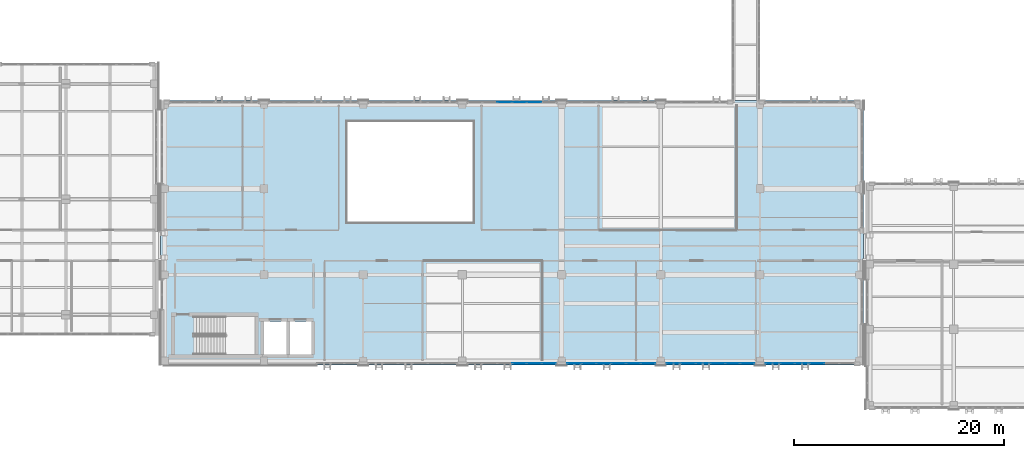
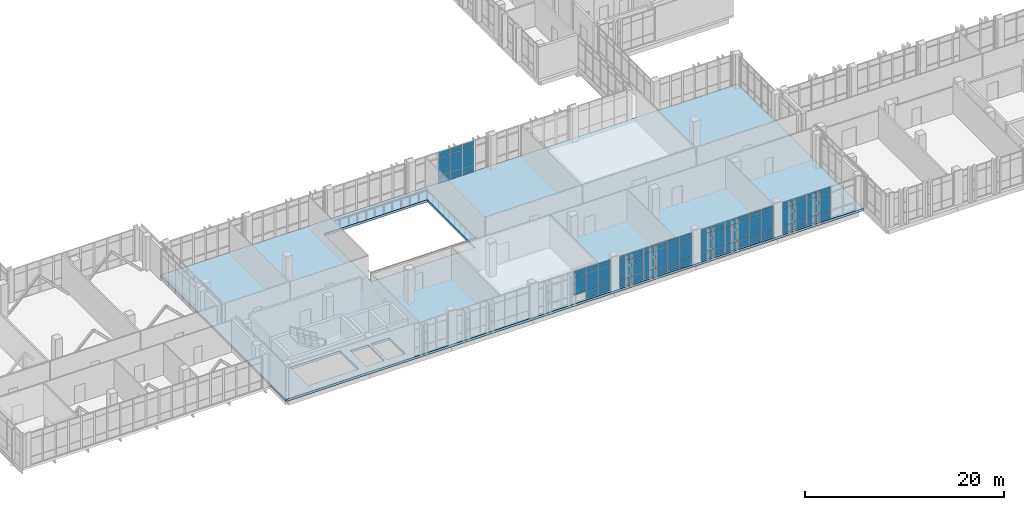
# One storey, part 136 of 193: 65 plates, 1 slab, 5 elements without a shape of their own.
"""IFC4 building model written with IfcOpenShell, lengths in metres."""

from ifc_helpers import new_model, si_unit, direction, frame, origin, origin_2d, place, context, subcontext, project, spatial, polyline, rectangle, outline, extrude, material, layer, layer_set, type_object, element, aggregate, save


model = new_model("IFC4")

# Units and contexts
model_context = context("Model", 3, precision=1e-05, world=origin(), true_north=direction((0.0, 1.0)))
body_context = subcontext(model_context, "Body", "Model", "MODEL_VIEW")
ifc_project = project(units=[si_unit("LENGTHUNIT", "METRE"), si_unit("AREAUNIT", "SQUARE_METRE"), si_unit("VOLUMEUNIT", "CUBIC_METRE"), si_unit("PLANEANGLEUNIT", "RADIAN"), si_unit("MASSUNIT", "GRAM", prefix="KILO")], contexts=[model_context])

# Site, building, storey
site_placement = place(None, origin())
site = spatial("IfcSite", under=ifc_project, at=site_placement, CompositionType="ELEMENT")
building_placement = place(site_placement, origin())
building = spatial("IfcBuilding", under=site, at=building_placement, Name="Qalavern Law Courts", CompositionType="ELEMENT")
storey_placement = place(building_placement, frame((0.0, 0.0, 10.199951171875)))
storey = spatial("IfcBuildingStorey", under=building, at=storey_placement, Name="L02", CompositionType="ELEMENT", Elevation=10.199951171875)

# Curtain wall, plates
ifc_material_1 = material(Name="Anodised aluminium and insulated glazing", Category="aluminium")
ifc_layer_1 = layer(ifc_material_1, 0.18505859375)
ifc_layer_set_1 = layer_set([ifc_layer_1], Name="Anodised aluminium and insulated glazing")
curtain_wall_type = type_object("IfcCurtainWallType", Name="ENV-CW-HALL", PredefinedType="USERDEFINED", material=ifc_layer_set_1)
curtain_wall_1_placement = place(storey_placement, origin())
curtain_wall_1 = element("IfcCurtainWall", 1, at=curtain_wall_1_placement, inside=storey, type_object=curtain_wall_type, Name="V2 unitised curtain wall L02 south 3", ObjectType="UNITISED CURTAIN WALL", PredefinedType="USERDEFINED")
ifc_material_2 = material(Name="Insulated low-E acoustic glazing", Category="glass")
ifc_layer_2 = layer(ifc_material_2, 0.02392578125)
ifc_layer_set_2 = layer_set([ifc_layer_2], Name="Insulated low-E acoustic glazing")
plate_type_1 = type_object("IfcPlateType", Name="ENV-CWP-24", PredefinedType="CURTAIN_PANEL", material=ifc_layer_set_2)
plate_1_placement = place(storey_placement, frame((68.41455078125, 5.35498046875, 0.97412109375), z_axis=(0.0, 0.0, 1.0), x_axis=(1.0, 0.0, 0.0)))
plate_1 = element("IfcPlate", 2, at=plate_1_placement, type_object=plate_type_1, Name="CW-02 panel 4.2", PredefinedType="CURTAIN_PANEL", context=body_context, shape_type="SweptSolid", body=[
    extrude(rectangle(XDim=1.361083984375, YDim=0.02392578125, at=origin_2d()), origin(), (0.0, 0.0, 1.0), 2.1669921875),
])
plate_2_placement = place(storey_placement, frame((68.41455078125, 5.35498046875, 3.18896484375), z_axis=(0.0, 0.0, 1.0), x_axis=(1.0, 0.0, 0.0)))
plate_2 = element("IfcPlate", 3, at=plate_2_placement, type_object=plate_type_1, Name="CW-02 panel 4.3", PredefinedType="CURTAIN_PANEL", context=body_context, shape_type="SweptSolid", body=[
    extrude(rectangle(XDim=1.361083984375, YDim=0.02392578125, at=origin_2d()), origin(), (0.0, 0.0, 1.0), 0.677978515625),
])
plate_3_placement = place(storey_placement, frame((69.823486328125, 5.35498046875, 0.048095703125), z_axis=(0.0, 0.0, 1.0), x_axis=(1.0, 0.0, 0.0)))
plate_3 = element("IfcPlate", 4, at=plate_3_placement, type_object=plate_type_1, Name="CW-02 panel 5.1", PredefinedType="CURTAIN_PANEL", context=body_context, shape_type="SweptSolid", body=[
    extrude(rectangle(XDim=1.361083984375, YDim=0.02392578125, at=origin_2d()), origin(), (0.0, 0.0, 1.0), 0.8779296875),
])
plate_4_placement = place(storey_placement, frame((69.823486328125, 5.35498046875, 0.97412109375), z_axis=(0.0, 0.0, 1.0), x_axis=(1.0, 0.0, 0.0)))
plate_4 = element("IfcPlate", 5, at=plate_4_placement, type_object=plate_type_1, Name="CW-02 panel 5.2", PredefinedType="CURTAIN_PANEL", context=body_context, shape_type="SweptSolid", body=[
    extrude(rectangle(XDim=1.361083984375, YDim=0.02392578125, at=origin_2d()), origin(), (0.0, 0.0, 1.0), 2.1669921875),
])
plate_5_placement = place(storey_placement, frame((69.823486328125, 5.35498046875, 3.18896484375), z_axis=(0.0, 0.0, 1.0), x_axis=(1.0, 0.0, 0.0)))
plate_5 = element("IfcPlate", 6, at=plate_5_placement, type_object=plate_type_1, Name="CW-02 panel 5.3", PredefinedType="CURTAIN_PANEL", context=body_context, shape_type="SweptSolid", body=[
    extrude(rectangle(XDim=1.361083984375, YDim=0.02392578125, at=origin_2d()), origin(), (0.0, 0.0, 1.0), 0.677978515625),
])
plate_6_placement = place(storey_placement, frame((71.220703125, 5.35498046875, 0.048095703125), z_axis=(0.0, 0.0, 1.0), x_axis=(1.0, 0.0, 0.0)))
plate_6 = element("IfcPlate", 7, at=plate_6_placement, type_object=plate_type_1, Name="CW-02 panel 6.1", PredefinedType="CURTAIN_PANEL", context=body_context, shape_type="SweptSolid", body=[
    extrude(rectangle(XDim=1.3369140625, YDim=0.02392578125, at=origin_2d()), origin(), (0.0, 0.0, 1.0), 0.8779296875),
])
plate_7_placement = place(storey_placement, frame((71.220703125, 5.35498046875, 0.97412109375), z_axis=(0.0, 0.0, 1.0), x_axis=(1.0, 0.0, 0.0)))
plate_7 = element("IfcPlate", 8, at=plate_7_placement, type_object=plate_type_1, Name="CW-02 panel 6.2", PredefinedType="CURTAIN_PANEL", context=body_context, shape_type="SweptSolid", body=[
    extrude(rectangle(XDim=1.3369140625, YDim=0.02392578125, at=origin_2d()), origin(), (0.0, 0.0, 1.0), 2.1669921875),
])
plate_8_placement = place(storey_placement, frame((71.220703125, 5.35498046875, 3.18896484375), z_axis=(0.0, 0.0, 1.0), x_axis=(1.0, 0.0, 0.0)))
plate_8 = element("IfcPlate", 9, at=plate_8_placement, type_object=plate_type_1, Name="CW-02 panel 6.3", PredefinedType="CURTAIN_PANEL", context=body_context, shape_type="SweptSolid", body=[
    extrude(rectangle(XDim=1.3369140625, YDim=0.02392578125, at=origin_2d()), origin(), (0.0, 0.0, 1.0), 0.677978515625),
])
aggregate(curtain_wall_1, [plate_1, plate_2, plate_3, plate_4, plate_5, plate_6, plate_7, plate_8])

curtain_wall_2_placement = place(storey_placement, origin())
curtain_wall_2 = element("IfcCurtainWall", 10, at=curtain_wall_2_placement, inside=storey, type_object=curtain_wall_type, Name="V2 unitised curtain wall L02 south 4", ObjectType="UNITISED CURTAIN WALL", PredefinedType="USERDEFINED")
ifc_layer_3 = layer(ifc_material_2, 0.028076171875)
ifc_layer_set_3 = layer_set([ifc_layer_3], Name="Insulated low-E acoustic glazing")
plate_type_2 = type_object("IfcPlateType", Name="ENV-CWP-28", PredefinedType="CURTAIN_PANEL", material=ifc_layer_set_3)
plate_9_placement = place(storey_placement, frame((73.653564453125, 5.35498046875, 0.048095703125), z_axis=(0.0, 0.0, 1.0), x_axis=(1.0, 0.0, 0.0)))
plate_9 = element("IfcPlate", 11, at=plate_9_placement, type_object=plate_type_2, Name="CW-02 panel 1.1", PredefinedType="CURTAIN_PANEL", context=body_context, shape_type="SweptSolid", body=[
    extrude(rectangle(XDim=1.337158203125, YDim=0.028076171875, at=origin_2d()), origin(), (0.0, 0.0, 1.0), 0.8779296875),
])
plate_10_placement = place(storey_placement, frame((73.653564453125, 5.35498046875, 0.97412109375), z_axis=(0.0, 0.0, 1.0), x_axis=(1.0, 0.0, 0.0)))
plate_10 = element("IfcPlate", 12, at=plate_10_placement, type_object=plate_type_2, Name="CW-02 panel 1.2", PredefinedType="CURTAIN_PANEL", context=body_context, shape_type="SweptSolid", body=[
    extrude(rectangle(XDim=1.337158203125, YDim=0.028076171875, at=origin_2d()), origin(), (0.0, 0.0, 1.0), 2.1669921875),
])
plate_11_placement = place(storey_placement, frame((73.653564453125, 5.35498046875, 3.18896484375), z_axis=(0.0, 0.0, 1.0), x_axis=(1.0, 0.0, 0.0)))
plate_11 = element("IfcPlate", 13, at=plate_11_placement, type_object=plate_type_2, Name="CW-02 panel 1.3", PredefinedType="CURTAIN_PANEL", context=body_context, shape_type="SweptSolid", body=[
    extrude(rectangle(XDim=1.337158203125, YDim=0.028076171875, at=origin_2d()), origin(), (0.0, 0.0, 1.0), 0.677978515625),
])
plate_12_placement = place(storey_placement, frame((75.05078125, 5.35498046875, 0.048095703125), z_axis=(0.0, 0.0, 1.0), x_axis=(1.0, 0.0, 0.0)))
plate_12 = element("IfcPlate", 14, at=plate_12_placement, type_object=plate_type_2, Name="CW-02 panel 2.1", PredefinedType="CURTAIN_PANEL", context=body_context, shape_type="SweptSolid", body=[
    extrude(rectangle(XDim=1.361083984375, YDim=0.028076171875, at=origin_2d()), origin(), (0.0, 0.0, 1.0), 0.8779296875),
])
plate_13_placement = place(storey_placement, frame((75.05078125, 5.35498046875, 0.97412109375), z_axis=(0.0, 0.0, 1.0), x_axis=(1.0, 0.0, 0.0)))
plate_13 = element("IfcPlate", 15, at=plate_13_placement, type_object=plate_type_2, Name="CW-02 panel 2.2", PredefinedType="CURTAIN_PANEL", context=body_context, shape_type="SweptSolid", body=[
    extrude(rectangle(XDim=1.361083984375, YDim=0.028076171875, at=origin_2d()), origin(), (0.0, 0.0, 1.0), 2.1669921875),
])
plate_14_placement = place(storey_placement, frame((75.05078125, 5.35498046875, 3.18896484375), z_axis=(0.0, 0.0, 1.0), x_axis=(1.0, 0.0, 0.0)))
plate_14 = element("IfcPlate", 16, at=plate_14_placement, type_object=plate_type_2, Name="CW-02 panel 2.3", PredefinedType="CURTAIN_PANEL", context=body_context, shape_type="SweptSolid", body=[
    extrude(rectangle(XDim=1.361083984375, YDim=0.028076171875, at=origin_2d()), origin(), (0.0, 0.0, 1.0), 0.677978515625),
])
plate_15_placement = place(storey_placement, frame((76.459716796875, 5.35498046875, 0.048095703125), z_axis=(0.0, 0.0, 1.0), x_axis=(1.0, 0.0, 0.0)))
plate_15 = element("IfcPlate", 17, at=plate_15_placement, type_object=plate_type_2, Name="CW-02 panel 3.1", PredefinedType="CURTAIN_PANEL", context=body_context, shape_type="SweptSolid", body=[
    extrude(rectangle(XDim=1.361083984375, YDim=0.028076171875, at=origin_2d()), origin(), (0.0, 0.0, 1.0), 0.8779296875),
])
plate_16_placement = place(storey_placement, frame((76.459716796875, 5.35498046875, 0.97412109375), z_axis=(0.0, 0.0, 1.0), x_axis=(1.0, 0.0, 0.0)))
plate_16 = element("IfcPlate", 18, at=plate_16_placement, type_object=plate_type_2, Name="CW-02 panel 3.2", PredefinedType="CURTAIN_PANEL", context=body_context, shape_type="SweptSolid", body=[
    extrude(rectangle(XDim=1.361083984375, YDim=0.028076171875, at=origin_2d()), origin(), (0.0, 0.0, 1.0), 2.1669921875),
])
plate_17_placement = place(storey_placement, frame((76.459716796875, 5.35498046875, 3.18896484375), z_axis=(0.0, 0.0, 1.0), x_axis=(1.0, 0.0, 0.0)))
plate_17 = element("IfcPlate", 19, at=plate_17_placement, type_object=plate_type_2, Name="CW-02 panel 3.3", PredefinedType="CURTAIN_PANEL", context=body_context, shape_type="SweptSolid", body=[
    extrude(rectangle(XDim=1.361083984375, YDim=0.028076171875, at=origin_2d()), origin(), (0.0, 0.0, 1.0), 0.677978515625),
])
plate_18_placement = place(storey_placement, frame((77.868896484375, 5.35498046875, 0.048095703125), z_axis=(0.0, 0.0, 1.0), x_axis=(1.0, 0.0, 0.0)))
plate_18 = element("IfcPlate", 20, at=plate_18_placement, type_object=plate_type_2, Name="CW-02 panel 4.1", PredefinedType="CURTAIN_PANEL", context=body_context, shape_type="SweptSolid", body=[
    extrude(rectangle(XDim=1.361083984375, YDim=0.028076171875, at=origin_2d()), origin(), (0.0, 0.0, 1.0), 0.8779296875),
])
plate_19_placement = place(storey_placement, frame((77.868896484375, 5.35498046875, 0.97412109375), z_axis=(0.0, 0.0, 1.0), x_axis=(1.0, 0.0, 0.0)))
plate_19 = element("IfcPlate", 21, at=plate_19_placement, type_object=plate_type_2, Name="CW-02 panel 4.2", PredefinedType="CURTAIN_PANEL", context=body_context, shape_type="SweptSolid", body=[
    extrude(rectangle(XDim=1.361083984375, YDim=0.028076171875, at=origin_2d()), origin(), (0.0, 0.0, 1.0), 2.1669921875),
])
plate_20_placement = place(storey_placement, frame((77.868896484375, 5.35498046875, 3.18896484375), z_axis=(0.0, 0.0, 1.0), x_axis=(1.0, 0.0, 0.0)))
plate_20 = element("IfcPlate", 22, at=plate_20_placement, type_object=plate_type_2, Name="CW-02 panel 4.3", PredefinedType="CURTAIN_PANEL", context=body_context, shape_type="SweptSolid", body=[
    extrude(rectangle(XDim=1.361083984375, YDim=0.028076171875, at=origin_2d()), origin(), (0.0, 0.0, 1.0), 0.677978515625),
])
plate_21_placement = place(storey_placement, frame((79.27783203125, 5.35498046875, 0.048095703125), z_axis=(0.0, 0.0, 1.0), x_axis=(1.0, 0.0, 0.0)))
plate_21 = element("IfcPlate", 23, at=plate_21_placement, type_object=plate_type_2, Name="CW-02 panel 5.1", PredefinedType="CURTAIN_PANEL", context=body_context, shape_type="SweptSolid", body=[
    extrude(rectangle(XDim=1.361083984375, YDim=0.028076171875, at=origin_2d()), origin(), (0.0, 0.0, 1.0), 0.8779296875),
])
plate_22_placement = place(storey_placement, frame((79.27783203125, 5.35498046875, 0.97412109375), z_axis=(0.0, 0.0, 1.0), x_axis=(1.0, 0.0, 0.0)))
plate_22 = element("IfcPlate", 24, at=plate_22_placement, type_object=plate_type_2, Name="CW-02 panel 5.2", PredefinedType="CURTAIN_PANEL", context=body_context, shape_type="SweptSolid", body=[
    extrude(rectangle(XDim=1.361083984375, YDim=0.028076171875, at=origin_2d()), origin(), (0.0, 0.0, 1.0), 2.1669921875),
])
plate_23_placement = place(storey_placement, frame((79.27783203125, 5.35498046875, 3.18896484375), z_axis=(0.0, 0.0, 1.0), x_axis=(1.0, 0.0, 0.0)))
plate_23 = element("IfcPlate", 25, at=plate_23_placement, type_object=plate_type_2, Name="CW-02 panel 5.3", PredefinedType="CURTAIN_PANEL", context=body_context, shape_type="SweptSolid", body=[
    extrude(rectangle(XDim=1.361083984375, YDim=0.028076171875, at=origin_2d()), origin(), (0.0, 0.0, 1.0), 0.677978515625),
])
plate_24_placement = place(storey_placement, frame((80.6748046875, 5.35498046875, 0.048095703125), z_axis=(0.0, 0.0, 1.0), x_axis=(1.0, 0.0, 0.0)))
plate_24 = element("IfcPlate", 26, at=plate_24_placement, type_object=plate_type_2, Name="CW-02 panel 6.1", PredefinedType="CURTAIN_PANEL", context=body_context, shape_type="SweptSolid", body=[
    extrude(rectangle(XDim=1.337158203125, YDim=0.028076171875, at=origin_2d()), origin(), (0.0, 0.0, 1.0), 0.8779296875),
])
plate_25_placement = place(storey_placement, frame((80.6748046875, 5.35498046875, 0.97412109375), z_axis=(0.0, 0.0, 1.0), x_axis=(1.0, 0.0, 0.0)))
plate_25 = element("IfcPlate", 27, at=plate_25_placement, type_object=plate_type_2, Name="CW-02 panel 6.2", PredefinedType="CURTAIN_PANEL", context=body_context, shape_type="SweptSolid", body=[
    extrude(rectangle(XDim=1.337158203125, YDim=0.028076171875, at=origin_2d()), origin(), (0.0, 0.0, 1.0), 2.1669921875),
])
plate_26_placement = place(storey_placement, frame((80.6748046875, 5.35498046875, 3.18896484375), z_axis=(0.0, 0.0, 1.0), x_axis=(1.0, 0.0, 0.0)))
plate_26 = element("IfcPlate", 28, at=plate_26_placement, type_object=plate_type_2, Name="CW-02 panel 6.3", PredefinedType="CURTAIN_PANEL", context=body_context, shape_type="SweptSolid", body=[
    extrude(rectangle(XDim=1.337158203125, YDim=0.028076171875, at=origin_2d()), origin(), (0.0, 0.0, 1.0), 0.677978515625),
])
aggregate(curtain_wall_2, [plate_9, plate_10, plate_11, plate_12, plate_13, plate_14, plate_15, plate_16, plate_17, plate_18, plate_19, plate_20, plate_21, plate_22, plate_23, plate_24, plate_25, plate_26])

curtain_wall_3_placement = place(storey_placement, origin())
curtain_wall_3 = element("IfcCurtainWall", 29, at=curtain_wall_3_placement, inside=storey, type_object=curtain_wall_type, Name="V2 unitised curtain wall L02 north 3", ObjectType="UNITISED CURTAIN WALL", PredefinedType="USERDEFINED")
plate_27_placement = place(storey_placement, frame((69.823486328125, 30.2451171875, 0.048095703125), z_axis=(0.0, 0.0, 1.0), x_axis=(-1.0, 0.0, 0.0)))
plate_27 = element("IfcPlate", 30, at=plate_27_placement, type_object=plate_type_2, Name="CW-02 panel 2.1", PredefinedType="CURTAIN_PANEL", context=body_context, shape_type="SweptSolid", body=[
    extrude(rectangle(XDim=1.361083984375, YDim=0.028076171875, at=origin_2d()), origin(), (0.0, 0.0, 1.0), 0.8779296875),
])
plate_28_placement = place(storey_placement, frame((69.823486328125, 30.2451171875, 0.97412109375), z_axis=(0.0, 0.0, 1.0), x_axis=(-1.0, 0.0, 0.0)))
plate_28 = element("IfcPlate", 31, at=plate_28_placement, type_object=plate_type_2, Name="CW-02 panel 2.2", PredefinedType="CURTAIN_PANEL", context=body_context, shape_type="SweptSolid", body=[
    extrude(rectangle(XDim=1.361083984375, YDim=0.028076171875, at=origin_2d()), origin(), (0.0, 0.0, 1.0), 2.1669921875),
])
plate_29_placement = place(storey_placement, frame((69.823486328125, 30.2451171875, 3.18896484375), z_axis=(0.0, 0.0, 1.0), x_axis=(-1.0, 0.0, 0.0)))
plate_29 = element("IfcPlate", 32, at=plate_29_placement, type_object=plate_type_2, Name="CW-02 panel 2.3", PredefinedType="CURTAIN_PANEL", context=body_context, shape_type="SweptSolid", body=[
    extrude(rectangle(XDim=1.361083984375, YDim=0.028076171875, at=origin_2d()), origin(), (0.0, 0.0, 1.0), 0.677978515625),
])
plate_30_placement = place(storey_placement, frame((68.41455078125, 30.2451171875, 0.048095703125), z_axis=(0.0, 0.0, 1.0), x_axis=(-1.0, 0.0, 0.0)))
plate_30 = element("IfcPlate", 33, at=plate_30_placement, type_object=plate_type_2, Name="CW-02 panel 3.1", PredefinedType="CURTAIN_PANEL", context=body_context, shape_type="SweptSolid", body=[
    extrude(rectangle(XDim=1.361083984375, YDim=0.028076171875, at=origin_2d()), origin(), (0.0, 0.0, 1.0), 0.8779296875),
])
plate_31_placement = place(storey_placement, frame((68.41455078125, 30.2451171875, 0.97412109375), z_axis=(0.0, 0.0, 1.0), x_axis=(-1.0, 0.0, 0.0)))
plate_31 = element("IfcPlate", 34, at=plate_31_placement, type_object=plate_type_2, Name="CW-02 panel 3.2", PredefinedType="CURTAIN_PANEL", context=body_context, shape_type="SweptSolid", body=[
    extrude(rectangle(XDim=1.361083984375, YDim=0.028076171875, at=origin_2d()), origin(), (0.0, 0.0, 1.0), 2.1669921875),
])
plate_32_placement = place(storey_placement, frame((68.41455078125, 30.2451171875, 3.18896484375), z_axis=(0.0, 0.0, 1.0), x_axis=(-1.0, 0.0, 0.0)))
plate_32 = element("IfcPlate", 35, at=plate_32_placement, type_object=plate_type_2, Name="CW-02 panel 3.3", PredefinedType="CURTAIN_PANEL", context=body_context, shape_type="SweptSolid", body=[
    extrude(rectangle(XDim=1.361083984375, YDim=0.028076171875, at=origin_2d()), origin(), (0.0, 0.0, 1.0), 0.677978515625),
])
plate_33_placement = place(storey_placement, frame((67.00537109375, 30.2451171875, 0.048095703125), z_axis=(0.0, 0.0, 1.0), x_axis=(-1.0, 0.0, 0.0)))
plate_33 = element("IfcPlate", 36, at=plate_33_placement, type_object=plate_type_2, Name="CW-02 panel 4.1", PredefinedType="CURTAIN_PANEL", context=body_context, shape_type="SweptSolid", body=[
    extrude(rectangle(XDim=1.361083984375, YDim=0.028076171875, at=origin_2d()), origin(), (0.0, 0.0, 1.0), 0.8779296875),
])
plate_34_placement = place(storey_placement, frame((67.00537109375, 30.2451171875, 0.97412109375), z_axis=(0.0, 0.0, 1.0), x_axis=(-1.0, 0.0, 0.0)))
plate_34 = element("IfcPlate", 37, at=plate_34_placement, type_object=plate_type_2, Name="CW-02 panel 4.2", PredefinedType="CURTAIN_PANEL", context=body_context, shape_type="SweptSolid", body=[
    extrude(rectangle(XDim=1.361083984375, YDim=0.028076171875, at=origin_2d()), origin(), (0.0, 0.0, 1.0), 2.1669921875),
])
plate_35_placement = place(storey_placement, frame((67.00537109375, 30.2451171875, 3.18896484375), z_axis=(0.0, 0.0, 1.0), x_axis=(-1.0, 0.0, 0.0)))
plate_35 = element("IfcPlate", 38, at=plate_35_placement, type_object=plate_type_2, Name="CW-02 panel 4.3", PredefinedType="CURTAIN_PANEL", context=body_context, shape_type="SweptSolid", body=[
    extrude(rectangle(XDim=1.361083984375, YDim=0.028076171875, at=origin_2d()), origin(), (0.0, 0.0, 1.0), 0.677978515625),
])
aggregate(curtain_wall_3, [plate_27, plate_28, plate_29, plate_30, plate_31, plate_32, plate_33, plate_34, plate_35])

curtain_wall_4_placement = place(storey_placement, origin())
curtain_wall_4 = element("IfcCurtainWall", 39, at=curtain_wall_4_placement, inside=storey, type_object=curtain_wall_type, Name="V2 unitised curtain wall L02 south 5", ObjectType="UNITISED CURTAIN WALL", PredefinedType="USERDEFINED")
ifc_layer_4 = layer(ifc_material_2, 0.031982421875)
ifc_layer_set_4 = layer_set([ifc_layer_4], Name="Insulated low-E acoustic glazing")
plate_type_3 = type_object("IfcPlateType", Name="ENV-CWP-32", PredefinedType="CURTAIN_PANEL", material=ifc_layer_set_4)
plate_36_placement = place(storey_placement, frame((83.10791015625, 5.35498046875, 0.048095703125), z_axis=(0.0, 0.0, 1.0), x_axis=(1.0, 0.0, 0.0)))
plate_36 = element("IfcPlate", 40, at=plate_36_placement, type_object=plate_type_3, Name="CW-02 panel 1.1", PredefinedType="CURTAIN_PANEL", context=body_context, shape_type="SweptSolid", body=[
    extrude(rectangle(XDim=1.337158203125, YDim=0.031982421875, at=origin_2d()), origin(), (0.0, 0.0, 1.0), 0.8779296875),
])
plate_37_placement = place(storey_placement, frame((83.10791015625, 5.35498046875, 0.97412109375), z_axis=(0.0, 0.0, 1.0), x_axis=(1.0, 0.0, 0.0)))
plate_37 = element("IfcPlate", 41, at=plate_37_placement, type_object=plate_type_3, Name="CW-02 panel 1.2", PredefinedType="CURTAIN_PANEL", context=body_context, shape_type="SweptSolid", body=[
    extrude(rectangle(XDim=1.337158203125, YDim=0.031982421875, at=origin_2d()), origin(), (0.0, 0.0, 1.0), 2.1669921875),
])
plate_38_placement = place(storey_placement, frame((83.10791015625, 5.35498046875, 3.18896484375), z_axis=(0.0, 0.0, 1.0), x_axis=(1.0, 0.0, 0.0)))
plate_38 = element("IfcPlate", 42, at=plate_38_placement, type_object=plate_type_3, Name="CW-02 panel 1.3", PredefinedType="CURTAIN_PANEL", context=body_context, shape_type="SweptSolid", body=[
    extrude(rectangle(XDim=1.337158203125, YDim=0.031982421875, at=origin_2d()), origin(), (0.0, 0.0, 1.0), 0.677978515625),
])
plate_39_placement = place(storey_placement, frame((84.5048828125, 5.35498046875, 0.048095703125), z_axis=(0.0, 0.0, 1.0), x_axis=(1.0, 0.0, 0.0)))
plate_39 = element("IfcPlate", 43, at=plate_39_placement, type_object=plate_type_3, Name="CW-02 panel 2.1", PredefinedType="CURTAIN_PANEL", context=body_context, shape_type="SweptSolid", body=[
    extrude(rectangle(XDim=1.361083984375, YDim=0.031982421875, at=origin_2d()), origin(), (0.0, 0.0, 1.0), 0.8779296875),
])
plate_40_placement = place(storey_placement, frame((84.5048828125, 5.35498046875, 0.97412109375), z_axis=(0.0, 0.0, 1.0), x_axis=(1.0, 0.0, 0.0)))
plate_40 = element("IfcPlate", 44, at=plate_40_placement, type_object=plate_type_3, Name="CW-02 panel 2.2", PredefinedType="CURTAIN_PANEL", context=body_context, shape_type="SweptSolid", body=[
    extrude(rectangle(XDim=1.361083984375, YDim=0.031982421875, at=origin_2d()), origin(), (0.0, 0.0, 1.0), 2.1669921875),
])
plate_41_placement = place(storey_placement, frame((84.5048828125, 5.35498046875, 3.18896484375), z_axis=(0.0, 0.0, 1.0), x_axis=(1.0, 0.0, 0.0)))
plate_41 = element("IfcPlate", 45, at=plate_41_placement, type_object=plate_type_3, Name="CW-02 panel 2.3", PredefinedType="CURTAIN_PANEL", context=body_context, shape_type="SweptSolid", body=[
    extrude(rectangle(XDim=1.361083984375, YDim=0.031982421875, at=origin_2d()), origin(), (0.0, 0.0, 1.0), 0.677978515625),
])
plate_42_placement = place(storey_placement, frame((85.9140625, 5.35498046875, 0.048095703125), z_axis=(0.0, 0.0, 1.0), x_axis=(1.0, 0.0, 0.0)))
plate_42 = element("IfcPlate", 46, at=plate_42_placement, type_object=plate_type_3, Name="CW-02 panel 3.1", PredefinedType="CURTAIN_PANEL", context=body_context, shape_type="SweptSolid", body=[
    extrude(rectangle(XDim=1.361083984375, YDim=0.031982421875, at=origin_2d()), origin(), (0.0, 0.0, 1.0), 0.8779296875),
])
plate_43_placement = place(storey_placement, frame((85.9140625, 5.35498046875, 0.97412109375), z_axis=(0.0, 0.0, 1.0), x_axis=(1.0, 0.0, 0.0)))
plate_43 = element("IfcPlate", 47, at=plate_43_placement, type_object=plate_type_3, Name="CW-02 panel 3.2", PredefinedType="CURTAIN_PANEL", context=body_context, shape_type="SweptSolid", body=[
    extrude(rectangle(XDim=1.361083984375, YDim=0.031982421875, at=origin_2d()), origin(), (0.0, 0.0, 1.0), 2.1669921875),
])
plate_44_placement = place(storey_placement, frame((85.9140625, 5.35498046875, 3.18896484375), z_axis=(0.0, 0.0, 1.0), x_axis=(1.0, 0.0, 0.0)))
plate_44 = element("IfcPlate", 48, at=plate_44_placement, type_object=plate_type_3, Name="CW-02 panel 3.3", PredefinedType="CURTAIN_PANEL", context=body_context, shape_type="SweptSolid", body=[
    extrude(rectangle(XDim=1.361083984375, YDim=0.031982421875, at=origin_2d()), origin(), (0.0, 0.0, 1.0), 0.677978515625),
])
plate_45_placement = place(storey_placement, frame((87.322998046875, 5.35498046875, 0.048095703125), z_axis=(0.0, 0.0, 1.0), x_axis=(1.0, 0.0, 0.0)))
plate_45 = element("IfcPlate", 49, at=plate_45_placement, type_object=plate_type_3, Name="CW-02 panel 4.1", PredefinedType="CURTAIN_PANEL", context=body_context, shape_type="SweptSolid", body=[
    extrude(rectangle(XDim=1.361083984375, YDim=0.031982421875, at=origin_2d()), origin(), (0.0, 0.0, 1.0), 0.8779296875),
])
plate_46_placement = place(storey_placement, frame((87.322998046875, 5.35498046875, 0.97412109375), z_axis=(0.0, 0.0, 1.0), x_axis=(1.0, 0.0, 0.0)))
plate_46 = element("IfcPlate", 50, at=plate_46_placement, type_object=plate_type_3, Name="CW-02 panel 4.2", PredefinedType="CURTAIN_PANEL", context=body_context, shape_type="SweptSolid", body=[
    extrude(rectangle(XDim=1.361083984375, YDim=0.031982421875, at=origin_2d()), origin(), (0.0, 0.0, 1.0), 2.1669921875),
])
plate_47_placement = place(storey_placement, frame((87.322998046875, 5.35498046875, 3.18896484375), z_axis=(0.0, 0.0, 1.0), x_axis=(1.0, 0.0, 0.0)))
plate_47 = element("IfcPlate", 51, at=plate_47_placement, type_object=plate_type_3, Name="CW-02 panel 4.3", PredefinedType="CURTAIN_PANEL", context=body_context, shape_type="SweptSolid", body=[
    extrude(rectangle(XDim=1.361083984375, YDim=0.031982421875, at=origin_2d()), origin(), (0.0, 0.0, 1.0), 0.677978515625),
])
plate_48_placement = place(storey_placement, frame((88.732177734375, 5.35498046875, 0.048095703125), z_axis=(0.0, 0.0, 1.0), x_axis=(1.0, 0.0, 0.0)))
plate_48 = element("IfcPlate", 52, at=plate_48_placement, type_object=plate_type_3, Name="CW-02 panel 5.1", PredefinedType="CURTAIN_PANEL", context=body_context, shape_type="SweptSolid", body=[
    extrude(rectangle(XDim=1.361083984375, YDim=0.031982421875, at=origin_2d()), origin(), (0.0, 0.0, 1.0), 0.8779296875),
])
plate_49_placement = place(storey_placement, frame((88.732177734375, 5.35498046875, 0.97412109375), z_axis=(0.0, 0.0, 1.0), x_axis=(1.0, 0.0, 0.0)))
plate_49 = element("IfcPlate", 53, at=plate_49_placement, type_object=plate_type_3, Name="CW-02 panel 5.2", PredefinedType="CURTAIN_PANEL", context=body_context, shape_type="SweptSolid", body=[
    extrude(rectangle(XDim=1.361083984375, YDim=0.031982421875, at=origin_2d()), origin(), (0.0, 0.0, 1.0), 2.1669921875),
])
plate_50_placement = place(storey_placement, frame((88.732177734375, 5.35498046875, 3.18896484375), z_axis=(0.0, 0.0, 1.0), x_axis=(1.0, 0.0, 0.0)))
plate_50 = element("IfcPlate", 54, at=plate_50_placement, type_object=plate_type_3, Name="CW-02 panel 5.3", PredefinedType="CURTAIN_PANEL", context=body_context, shape_type="SweptSolid", body=[
    extrude(rectangle(XDim=1.361083984375, YDim=0.031982421875, at=origin_2d()), origin(), (0.0, 0.0, 1.0), 0.677978515625),
])
plate_51_placement = place(storey_placement, frame((90.129150390625, 5.35498046875, 0.048095703125), z_axis=(0.0, 0.0, 1.0), x_axis=(1.0, 0.0, 0.0)))
plate_51 = element("IfcPlate", 55, at=plate_51_placement, type_object=plate_type_3, Name="CW-02 panel 6.1", PredefinedType="CURTAIN_PANEL", context=body_context, shape_type="SweptSolid", body=[
    extrude(rectangle(XDim=1.337158203125, YDim=0.031982421875, at=origin_2d()), origin(), (0.0, 0.0, 1.0), 0.8779296875),
])
plate_52_placement = place(storey_placement, frame((90.129150390625, 5.35498046875, 0.97412109375), z_axis=(0.0, 0.0, 1.0), x_axis=(1.0, 0.0, 0.0)))
plate_52 = element("IfcPlate", 56, at=plate_52_placement, type_object=plate_type_3, Name="CW-02 panel 6.2", PredefinedType="CURTAIN_PANEL", context=body_context, shape_type="SweptSolid", body=[
    extrude(rectangle(XDim=1.337158203125, YDim=0.031982421875, at=origin_2d()), origin(), (0.0, 0.0, 1.0), 2.1669921875),
])
plate_53_placement = place(storey_placement, frame((90.129150390625, 5.35498046875, 3.18896484375), z_axis=(0.0, 0.0, 1.0), x_axis=(1.0, 0.0, 0.0)))
plate_53 = element("IfcPlate", 57, at=plate_53_placement, type_object=plate_type_3, Name="CW-02 panel 6.3", PredefinedType="CURTAIN_PANEL", context=body_context, shape_type="SweptSolid", body=[
    extrude(rectangle(XDim=1.337158203125, YDim=0.031982421875, at=origin_2d()), origin(), (0.0, 0.0, 1.0), 0.677978515625),
])
aggregate(curtain_wall_4, [plate_36, plate_37, plate_38, plate_39, plate_40, plate_41, plate_42, plate_43, plate_44, plate_45, plate_46, plate_47, plate_48, plate_49, plate_50, plate_51, plate_52, plate_53])

curtain_wall_5_placement = place(storey_placement, origin())
curtain_wall_5 = element("IfcCurtainWall", 58, at=curtain_wall_5_placement, inside=storey, type_object=curtain_wall_type, Name="V2 unitised curtain wall L02 south 6", ObjectType="UNITISED CURTAIN WALL", PredefinedType="USERDEFINED")
ifc_layer_5 = layer(ifc_material_2, 0.035888671875)
ifc_layer_set_5 = layer_set([ifc_layer_5], Name="Insulated low-E acoustic glazing")
plate_type_4 = type_object("IfcPlateType", Name="ENV-CWP-36", PredefinedType="CURTAIN_PANEL", material=ifc_layer_set_5)
plate_54_placement = place(storey_placement, frame((92.562255859375, 5.35498046875, 0.048095703125), z_axis=(0.0, 0.0, 1.0), x_axis=(1.0, 0.0, 0.0)))
plate_54 = element("IfcPlate", 59, at=plate_54_placement, type_object=plate_type_4, Name="CW-02 panel 1.1", PredefinedType="CURTAIN_PANEL", context=body_context, shape_type="SweptSolid", body=[
    extrude(rectangle(XDim=1.337158203125, YDim=0.035888671875, at=origin_2d()), origin(), (0.0, 0.0, 1.0), 0.8779296875),
])
plate_55_placement = place(storey_placement, frame((92.562255859375, 5.35498046875, 0.97412109375), z_axis=(0.0, 0.0, 1.0), x_axis=(1.0, 0.0, 0.0)))
plate_55 = element("IfcPlate", 60, at=plate_55_placement, type_object=plate_type_4, Name="CW-02 panel 1.2", PredefinedType="CURTAIN_PANEL", context=body_context, shape_type="SweptSolid", body=[
    extrude(rectangle(XDim=1.337158203125, YDim=0.035888671875, at=origin_2d()), origin(), (0.0, 0.0, 1.0), 2.1669921875),
])
plate_56_placement = place(storey_placement, frame((92.562255859375, 5.35498046875, 3.18896484375), z_axis=(0.0, 0.0, 1.0), x_axis=(1.0, 0.0, 0.0)))
plate_56 = element("IfcPlate", 61, at=plate_56_placement, type_object=plate_type_4, Name="CW-02 panel 1.3", PredefinedType="CURTAIN_PANEL", context=body_context, shape_type="SweptSolid", body=[
    extrude(rectangle(XDim=1.337158203125, YDim=0.035888671875, at=origin_2d()), origin(), (0.0, 0.0, 1.0), 0.677978515625),
])
plate_57_placement = place(storey_placement, frame((93.959228515625, 5.35498046875, 0.048095703125), z_axis=(0.0, 0.0, 1.0), x_axis=(1.0, 0.0, 0.0)))
plate_57 = element("IfcPlate", 62, at=plate_57_placement, type_object=plate_type_4, Name="CW-02 panel 2.1", PredefinedType="CURTAIN_PANEL", context=body_context, shape_type="SweptSolid", body=[
    extrude(rectangle(XDim=1.361083984375, YDim=0.035888671875, at=origin_2d()), origin(), (0.0, 0.0, 1.0), 0.8779296875),
])
plate_58_placement = place(storey_placement, frame((93.959228515625, 5.35498046875, 0.97412109375), z_axis=(0.0, 0.0, 1.0), x_axis=(1.0, 0.0, 0.0)))
plate_58 = element("IfcPlate", 63, at=plate_58_placement, type_object=plate_type_4, Name="CW-02 panel 2.2", PredefinedType="CURTAIN_PANEL", context=body_context, shape_type="SweptSolid", body=[
    extrude(rectangle(XDim=1.361083984375, YDim=0.035888671875, at=origin_2d()), origin(), (0.0, 0.0, 1.0), 2.1669921875),
])
plate_59_placement = place(storey_placement, frame((93.959228515625, 5.35498046875, 3.18896484375), z_axis=(0.0, 0.0, 1.0), x_axis=(1.0, 0.0, 0.0)))
plate_59 = element("IfcPlate", 64, at=plate_59_placement, type_object=plate_type_4, Name="CW-02 panel 2.3", PredefinedType="CURTAIN_PANEL", context=body_context, shape_type="SweptSolid", body=[
    extrude(rectangle(XDim=1.361083984375, YDim=0.035888671875, at=origin_2d()), origin(), (0.0, 0.0, 1.0), 0.677978515625),
])
plate_60_placement = place(storey_placement, frame((95.368408203125, 5.35498046875, 0.048095703125), z_axis=(0.0, 0.0, 1.0), x_axis=(1.0, 0.0, 0.0)))
plate_60 = element("IfcPlate", 65, at=plate_60_placement, type_object=plate_type_4, Name="CW-02 panel 3.1", PredefinedType="CURTAIN_PANEL", context=body_context, shape_type="SweptSolid", body=[
    extrude(rectangle(XDim=1.361083984375, YDim=0.035888671875, at=origin_2d()), origin(), (0.0, 0.0, 1.0), 0.8779296875),
])
plate_61_placement = place(storey_placement, frame((95.368408203125, 5.35498046875, 0.97412109375), z_axis=(0.0, 0.0, 1.0), x_axis=(1.0, 0.0, 0.0)))
plate_61 = element("IfcPlate", 66, at=plate_61_placement, type_object=plate_type_4, Name="CW-02 panel 3.2", PredefinedType="CURTAIN_PANEL", context=body_context, shape_type="SweptSolid", body=[
    extrude(rectangle(XDim=1.361083984375, YDim=0.035888671875, at=origin_2d()), origin(), (0.0, 0.0, 1.0), 2.1669921875),
])
plate_62_placement = place(storey_placement, frame((95.368408203125, 5.35498046875, 3.18896484375), z_axis=(0.0, 0.0, 1.0), x_axis=(1.0, 0.0, 0.0)))
plate_62 = element("IfcPlate", 67, at=plate_62_placement, type_object=plate_type_4, Name="CW-02 panel 3.3", PredefinedType="CURTAIN_PANEL", context=body_context, shape_type="SweptSolid", body=[
    extrude(rectangle(XDim=1.361083984375, YDim=0.035888671875, at=origin_2d()), origin(), (0.0, 0.0, 1.0), 0.677978515625),
])
plate_63_placement = place(storey_placement, frame((96.77734375, 5.35498046875, 0.048095703125), z_axis=(0.0, 0.0, 1.0), x_axis=(1.0, 0.0, 0.0)))
plate_63 = element("IfcPlate", 68, at=plate_63_placement, type_object=plate_type_4, Name="CW-02 panel 4.1", PredefinedType="CURTAIN_PANEL", context=body_context, shape_type="SweptSolid", body=[
    extrude(rectangle(XDim=1.361083984375, YDim=0.035888671875, at=origin_2d()), origin(), (0.0, 0.0, 1.0), 0.8779296875),
])
plate_64_placement = place(storey_placement, frame((96.77734375, 5.35498046875, 0.97412109375), z_axis=(0.0, 0.0, 1.0), x_axis=(1.0, 0.0, 0.0)))
plate_64 = element("IfcPlate", 69, at=plate_64_placement, type_object=plate_type_4, Name="CW-02 panel 4.2", PredefinedType="CURTAIN_PANEL", context=body_context, shape_type="SweptSolid", body=[
    extrude(rectangle(XDim=1.361083984375, YDim=0.035888671875, at=origin_2d()), origin(), (0.0, 0.0, 1.0), 2.1669921875),
])
plate_65_placement = place(storey_placement, frame((96.77734375, 5.35498046875, 3.18896484375), z_axis=(0.0, 0.0, 1.0), x_axis=(1.0, 0.0, 0.0)))
plate_65 = element("IfcPlate", 70, at=plate_65_placement, type_object=plate_type_4, Name="CW-02 panel 4.3", PredefinedType="CURTAIN_PANEL", context=body_context, shape_type="SweptSolid", body=[
    extrude(rectangle(XDim=1.361083984375, YDim=0.035888671875, at=origin_2d()), origin(), (0.0, 0.0, 1.0), 0.677978515625),
])
aggregate(curtain_wall_5, [plate_54, plate_55, plate_56, plate_57, plate_58, plate_59, plate_60, plate_61, plate_62, plate_63, plate_64, plate_65])

# Slab
ifc_material_3 = material(Name="Concrete C40/50", Category="concrete")
ifc_layer_6 = layer(ifc_material_3, 0.2900390625)
ifc_layer_set_6 = layer_set([ifc_layer_6], Name="Concrete C40/50")
slab_type = type_object("IfcSlabType", Name="STR-SLB-L02-290", PredefinedType="FLOOR", material=ifc_layer_set_6)
slab_placement = place(storey_placement, frame((0.0, 0.0, -0.2900390625)))
element("IfcSlab", 71, at=slab_placement, inside=storey, type_object=slab_type, Name="V2 floor slab L02", PredefinedType="FLOOR", context=body_context, shape_type="SweptSolid", body=[
    extrude(outline(polyline([(34.219970703125, 5.199951171875), (101.199951171875, 5.199951171875), (101.199951171875, 30.39990234375), (34.219970703125, 30.39990234375), (34.219970703125, 5.199951171875)]), holes=[polyline([(37.389892578125, 6.199951171875), (43.199951171875, 6.199951171875), (43.199951171875, 9.85009765625), (37.389892578125, 9.85009765625), (37.389892578125, 6.199951171875)]), polyline([(44.10009765625, 6.199951171875), (46.199951171875, 6.199951171875), (46.199951171875, 9.35009765625), (44.10009765625, 9.35009765625), (44.10009765625, 6.199951171875)]), polyline([(46.5, 6.199951171875), (48.60009765625, 6.199951171875), (48.60009765625, 9.35009765625), (46.5, 9.35009765625), (46.5, 6.199951171875)]), polyline([(52.0, 18.800048828125), (64.0, 18.800048828125), (64.0, 28.39990234375), (52.0, 28.39990234375), (52.0, 18.800048828125)])]), origin(), (0.0, 0.0, 1.0), 0.2900390625),
])

save(model, "model.ifc")
